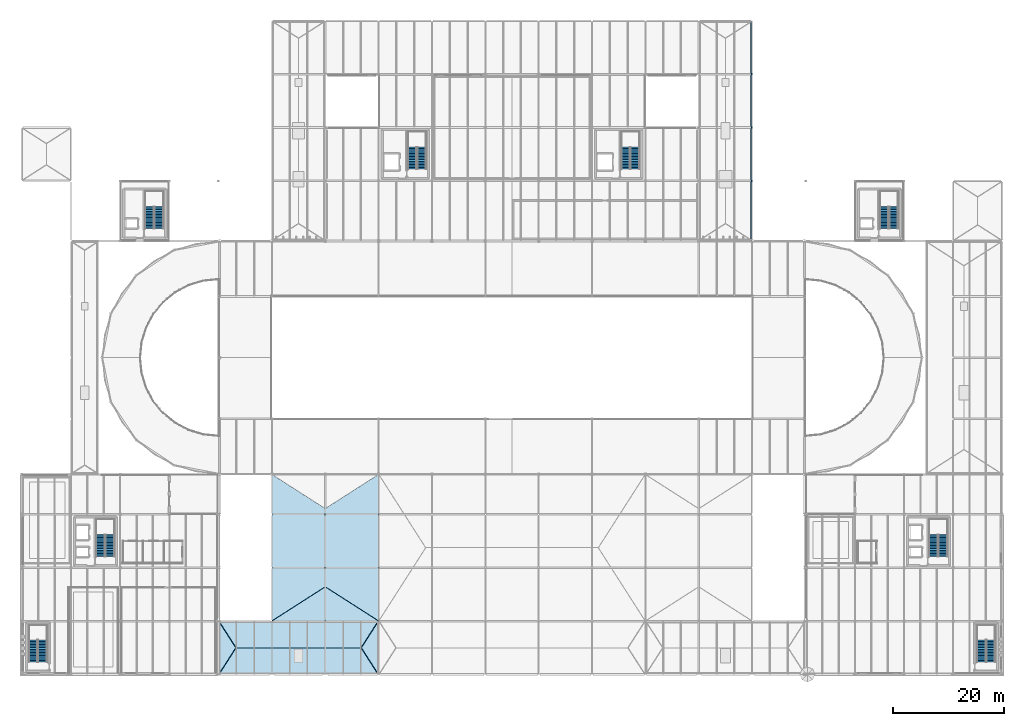
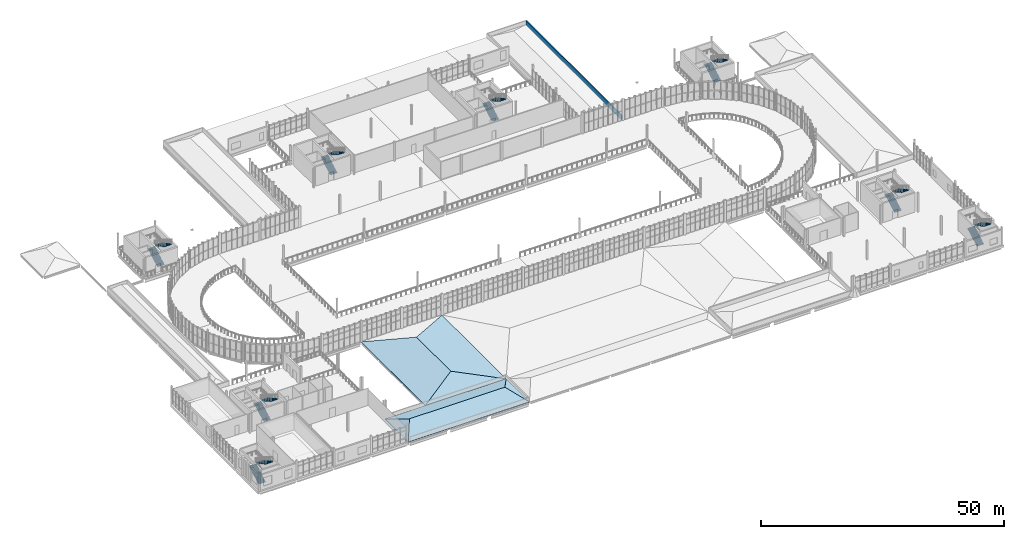
# One storey, part 98 of 112: 16 stair flights, 7 roofs, 1 wall, 8 elements without a shape of their own.
"""IFC4 building model written with IfcOpenShell, lengths in metres."""

from ifc_helpers import new_model, si_unit, direction, frame, frame_2d, origin, place, context, subcontext, project, spatial, polyline, rectangle, outline, extrude, material, layer, layer_set, type_object, element, aggregate, save


model = new_model("IFC4")

# Units and contexts
model_context = context("Model", 3, precision=1e-05, world=origin(), true_north=direction((0.0, 1.0)))
body_context = subcontext(model_context, "Body", "Model", "MODEL_VIEW")
ifc_project = project(units=[si_unit("LENGTHUNIT", "METRE"), si_unit("AREAUNIT", "SQUARE_METRE"), si_unit("VOLUMEUNIT", "CUBIC_METRE"), si_unit("PLANEANGLEUNIT", "RADIAN"), si_unit("MASSUNIT", "GRAM", prefix="KILO")], contexts=[model_context])

# Site, building, storey
site_placement = place(None, origin())
site = spatial("IfcSite", under=ifc_project, at=site_placement, CompositionType="ELEMENT")
building_placement = place(site_placement, origin())
building = spatial("IfcBuilding", under=site, at=building_placement, Name="Yeouljin Market Hall", CompositionType="ELEMENT")
storey_placement = place(building_placement, frame((0.0, 0.0, 6.0)))
storey = spatial("IfcBuildingStorey", under=building, at=storey_placement, Name="L01", CompositionType="ELEMENT", Elevation=6.0)

# Wall
ifc_material_1 = material(Name="Pocheon Granite Stone", Category="masonry")
ifc_layer_1 = layer(ifc_material_1, 0.260009765625)
ifc_layer_set_1 = layer_set([ifc_layer_1], Name="Pocheon Granite Stone")
wall_type = type_object("IfcWallType", Name="Wall_Parapet_Granite_260", PredefinedType="PARAPET", material=ifc_layer_set_1)
wall_placement = place(storey_placement, frame((131.260009765625, 78.139892578125, 0.010009765625), z_axis=(0.0, 0.0, 1.0), x_axis=(0.0, 1.0, 0.0)))
element("IfcWall", 1, at=wall_placement, inside=storey, type_object=wall_type, Name="Roof parapet RSLB-V4-L01E-2", PredefinedType="PARAPET", context=body_context, shape_type="SweptSolid", body=[
    extrude(rectangle(XDim=39.320068359375, YDim=0.260009765625, at=frame_2d((19.66015625, 0.0))), origin(), (0.0, 0.0, 1.0), 1.14990234375),
])

# Stair, stair flights
ifc_material_2 = material(Name="Concrete C30/37", Category="concrete")
stair_type_1 = type_object("IfcStairType", Name="Stair_Escape_Wing", PredefinedType="HALF_TURN_STAIR", material=ifc_material_2)
stair_1_placement = place(storey_placement, origin())
stair_1 = element("IfcStair", 2, at=stair_1_placement, inside=storey, type_object=stair_type_1, Name="Enclosed exit stair ST-S8-L01", PredefinedType="HALF_TURN_STAIR")
ifc_material_3 = material(Name="Concrete C30/37", Category="concrete")
ifc_layer_2 = layer(ifc_material_3, 0.159912109375)
ifc_layer_set_2 = layer_set([ifc_layer_2], Name="Concrete C30/37")
stair_flight_type_1 = type_object("IfcStairFlightType", Name="StairFlight_1580", PredefinedType="STRAIGHT", material=ifc_layer_set_2)
stair_flight_1_placement = place(storey_placement, frame((172.64990234375, 2.25, 0.0), z_axis=(0.0, 0.0, 1.0), x_axis=(0.0, 1.0, 0.0)))
stair_flight_1 = element("IfcStairFlight", 3, at=stair_flight_1_placement, type_object=stair_flight_type_1, Name="ST-S8-L01 flight 1", NumberOfRisers=15, NumberOfTreads=14, PredefinedType="STRAIGHT", RiserHeight=0.16, TreadLength=0.285, context=body_context, shape_type="SweptSolid", body=[
    extrude(outline(polyline([(0.0, 0.0), (0.0, 0.159912109375), (0.284912109375, 0.159912109375), (0.284912109375, 0.320068359375), (0.570068359375, 0.320068359375), (0.570068359375, 0.47998046875), (0.85498046875, 0.47998046875), (0.85498046875, 0.639892578125), (1.139892578125, 0.639892578125), (1.139892578125, 0.800048828125), (1.425048828125, 0.800048828125), (1.425048828125, 0.9599609375), (1.7099609375, 0.9599609375), (1.7099609375, 1.1201171875), (1.9951171875, 1.1201171875), (1.9951171875, 1.280029296875), (2.280029296875, 1.280029296875), (2.280029296875, 1.43994140625), (2.56494140625, 1.43994140625), (2.56494140625, 1.60009765625), (2.85009765625, 1.60009765625), (2.85009765625, 1.760009765625), (3.135009765625, 1.760009765625), (3.135009765625, 1.919921875), (3.419921875, 1.919921875), (3.419921875, 2.080078125), (3.705078125, 2.080078125), (3.705078125, 2.239990234375), (3.989990234375, 2.239990234375), (3.989990234375, 2.39990234375), (3.989990234375, 2.03369140625), (0.36767578125, 0.0), (0.0, 0.0)])), frame((0.0, 0.81005859375, 0.0), z_axis=(0.0, -1.0, 0.0), x_axis=(1.0, 0.0, 0.0)), (0.0, 0.0, 1.0), 1.6201171875),
])
stair_flight_2_placement = place(storey_placement, frame((174.35009765625, 6.239990234375, 2.39990234375), z_axis=(0.0, 0.0, 1.0), x_axis=(0.0, -1.0, 0.0)))
stair_flight_2 = element("IfcStairFlight", 4, at=stair_flight_2_placement, type_object=stair_flight_type_1, Name="ST-S8-L01 flight 2", NumberOfRisers=15, NumberOfTreads=14, PredefinedType="STRAIGHT", RiserHeight=0.16, TreadLength=0.285, context=body_context, shape_type="SweptSolid", body=[
    extrude(outline(polyline([(0.0, 0.0), (0.0, 0.159912109375), (0.284912109375, 0.159912109375), (0.284912109375, 0.320068359375), (0.570068359375, 0.320068359375), (0.570068359375, 0.47998046875), (0.85498046875, 0.47998046875), (0.85498046875, 0.639892578125), (1.139892578125, 0.639892578125), (1.139892578125, 0.800048828125), (1.425048828125, 0.800048828125), (1.425048828125, 0.9599609375), (1.7099609375, 0.9599609375), (1.7099609375, 1.1201171875), (1.9951171875, 1.1201171875), (1.9951171875, 1.280029296875), (2.280029296875, 1.280029296875), (2.280029296875, 1.43994140625), (2.56494140625, 1.43994140625), (2.56494140625, 1.60009765625), (2.85009765625, 1.60009765625), (2.85009765625, 1.760009765625), (3.135009765625, 1.760009765625), (3.135009765625, 1.919921875), (3.419921875, 1.919921875), (3.419921875, 2.080078125), (3.705078125, 2.080078125), (3.705078125, 2.239990234375), (3.989990234375, 2.239990234375), (3.989990234375, 2.39990234375), (3.989990234375, 2.03369140625), (0.36767578125, 0.0), (0.0, 0.0)])), frame((0.0, 0.81005859375, 0.0), z_axis=(0.0, -1.0, 0.0), x_axis=(1.0, 0.0, 0.0)), (0.0, 0.0, 1.0), 1.6201171875),
])
aggregate(stair_1, [stair_flight_1, stair_flight_2])

ifc_material_4 = material(Name="Concrete C30/37", Category="concrete")
stair_type_2 = type_object("IfcStairType", Name="Stair_Core_L01_L02", PredefinedType="TWO_STRAIGHT_RUN_STAIR", material=ifc_material_4)
stair_2_placement = place(storey_placement, origin())
stair_2 = element("IfcStair", 5, at=stair_2_placement, inside=storey, type_object=stair_type_2, Name="Enclosed exit stair ST-C1-L01", PredefinedType="TWO_STRAIGHT_RUN_STAIR")
ifc_material_5 = material(Name="Concrete C30/37", Category="concrete")
ifc_layer_3 = layer(ifc_material_5, 0.179931640625)
ifc_layer_set_3 = layer_set([ifc_layer_3], Name="Concrete C30/37")
stair_flight_type_2 = type_object("IfcStairFlightType", Name="StairFlight_1620", PredefinedType="STRAIGHT", material=ifc_layer_set_3)
stair_flight_3_placement = place(storey_placement, frame((14.14990234375, 21.199951171875, 0.0), z_axis=(0.0, 0.0, 1.0), x_axis=(0.0, 1.0, 0.0)))
stair_flight_3 = element("IfcStairFlight", 6, at=stair_flight_3_placement, type_object=stair_flight_type_2, Name="ST-C1-L01 flight 1", NumberOfRisers=15, NumberOfTreads=14, PredefinedType="STRAIGHT", RiserHeight=0.16, TreadLength=0.285, context=body_context, shape_type="SweptSolid", body=[
    extrude(outline(polyline([(0.0, 0.0), (0.0, 0.159912109375), (0.284912109375, 0.159912109375), (0.284912109375, 0.320068359375), (0.570068359375, 0.320068359375), (0.570068359375, 0.47998046875), (0.85498046875, 0.47998046875), (0.85498046875, 0.639892578125), (1.139892578125, 0.639892578125), (1.139892578125, 0.800048828125), (1.425048828125, 0.800048828125), (1.425048828125, 0.9599609375), (1.7099609375, 0.9599609375), (1.7099609375, 1.1201171875), (1.9951171875, 1.1201171875), (1.9951171875, 1.280029296875), (2.280029296875, 1.280029296875), (2.280029296875, 1.43994140625), (2.56494140625, 1.43994140625), (2.56494140625, 1.60009765625), (2.85009765625, 1.60009765625), (2.85009765625, 1.760009765625), (3.135009765625, 1.760009765625), (3.135009765625, 1.919921875), (3.419921875, 1.919921875), (3.419921875, 2.080078125), (3.705078125, 2.080078125), (3.705078125, 2.239990234375), (3.989990234375, 2.239990234375), (3.989990234375, 2.39990234375), (3.989990234375, 2.03369140625), (0.36767578125, 0.0), (0.0, 0.0)])), frame((0.0, 0.81005859375, 0.0), z_axis=(0.0, -1.0, 0.0), x_axis=(1.0, 0.0, 0.0)), (0.0, 0.0, 1.0), 1.6201171875),
])
stair_flight_4_placement = place(storey_placement, frame((15.85009765625, 25.18994140625, 2.39990234375), z_axis=(0.0, 0.0, 1.0), x_axis=(0.0, -1.0, 0.0)))
stair_flight_4 = element("IfcStairFlight", 7, at=stair_flight_4_placement, type_object=stair_flight_type_2, Name="ST-C1-L01 flight 2", NumberOfRisers=15, NumberOfTreads=14, PredefinedType="STRAIGHT", RiserHeight=0.16, TreadLength=0.285, context=body_context, shape_type="SweptSolid", body=[
    extrude(outline(polyline([(0.0, 0.0), (0.0, 0.159912109375), (0.284912109375, 0.159912109375), (0.284912109375, 0.320068359375), (0.570068359375, 0.320068359375), (0.570068359375, 0.47998046875), (0.85498046875, 0.47998046875), (0.85498046875, 0.639892578125), (1.139892578125, 0.639892578125), (1.139892578125, 0.800048828125), (1.425048828125, 0.800048828125), (1.425048828125, 0.9599609375), (1.7099609375, 0.9599609375), (1.7099609375, 1.1201171875), (1.9951171875, 1.1201171875), (1.9951171875, 1.280029296875), (2.280029296875, 1.280029296875), (2.280029296875, 1.43994140625), (2.56494140625, 1.43994140625), (2.56494140625, 1.60009765625), (2.85009765625, 1.60009765625), (2.85009765625, 1.760009765625), (3.135009765625, 1.760009765625), (3.135009765625, 1.919921875), (3.419921875, 1.919921875), (3.419921875, 2.080078125), (3.705078125, 2.080078125), (3.705078125, 2.239990234375), (3.989990234375, 2.239990234375), (3.989990234375, 2.39990234375), (3.989990234375, 2.03369140625), (0.36767578125, 0.0), (0.0, 0.0)])), frame((0.0, 0.81005859375, 0.0), z_axis=(0.0, -1.0, 0.0), x_axis=(1.0, 0.0, 0.0)), (0.0, 0.0, 1.0), 1.6201171875),
])
aggregate(stair_2, [stair_flight_3, stair_flight_4])

stair_3_placement = place(storey_placement, origin())
stair_3 = element("IfcStair", 8, at=stair_3_placement, inside=storey, type_object=stair_type_1, Name="Enclosed exit stair ST-S7-L01", PredefinedType="HALF_TURN_STAIR")
stair_flight_5_placement = place(storey_placement, frame((2.050048828125, 2.25, 0.0), z_axis=(0.0, 0.0, 1.0), x_axis=(0.0, 1.0, 0.0)))
stair_flight_5 = element("IfcStairFlight", 9, at=stair_flight_5_placement, type_object=stair_flight_type_2, Name="ST-S7-L01 flight 1", NumberOfRisers=15, NumberOfTreads=14, PredefinedType="STRAIGHT", RiserHeight=0.16, TreadLength=0.285, context=body_context, shape_type="SweptSolid", body=[
    extrude(outline(polyline([(0.0, 0.0), (0.0, 0.159912109375), (0.284912109375, 0.159912109375), (0.284912109375, 0.320068359375), (0.570068359375, 0.320068359375), (0.570068359375, 0.47998046875), (0.85498046875, 0.47998046875), (0.85498046875, 0.639892578125), (1.139892578125, 0.639892578125), (1.139892578125, 0.800048828125), (1.425048828125, 0.800048828125), (1.425048828125, 0.9599609375), (1.7099609375, 0.9599609375), (1.7099609375, 1.1201171875), (1.9951171875, 1.1201171875), (1.9951171875, 1.280029296875), (2.280029296875, 1.280029296875), (2.280029296875, 1.43994140625), (2.56494140625, 1.43994140625), (2.56494140625, 1.60009765625), (2.85009765625, 1.60009765625), (2.85009765625, 1.760009765625), (3.135009765625, 1.760009765625), (3.135009765625, 1.919921875), (3.419921875, 1.919921875), (3.419921875, 2.080078125), (3.705078125, 2.080078125), (3.705078125, 2.239990234375), (3.989990234375, 2.239990234375), (3.989990234375, 2.39990234375), (3.989990234375, 2.03369140625), (0.36767578125, 0.0), (0.0, 0.0)])), frame((0.0, 0.81005859375, 0.0), z_axis=(0.0, -1.0, 0.0), x_axis=(1.0, 0.0, 0.0)), (0.0, 0.0, 1.0), 1.6201171875),
])
stair_flight_6_placement = place(storey_placement, frame((3.75, 6.239990234375, 2.39990234375), z_axis=(0.0, 0.0, 1.0), x_axis=(0.0, -1.0, 0.0)))
stair_flight_6 = element("IfcStairFlight", 10, at=stair_flight_6_placement, type_object=stair_flight_type_2, Name="ST-S7-L01 flight 2", NumberOfRisers=15, NumberOfTreads=14, PredefinedType="STRAIGHT", RiserHeight=0.16, TreadLength=0.285, context=body_context, shape_type="SweptSolid", body=[
    extrude(outline(polyline([(0.0, 0.0), (0.0, 0.159912109375), (0.284912109375, 0.159912109375), (0.284912109375, 0.320068359375), (0.570068359375, 0.320068359375), (0.570068359375, 0.47998046875), (0.85498046875, 0.47998046875), (0.85498046875, 0.639892578125), (1.139892578125, 0.639892578125), (1.139892578125, 0.800048828125), (1.425048828125, 0.800048828125), (1.425048828125, 0.9599609375), (1.7099609375, 0.9599609375), (1.7099609375, 1.1201171875), (1.9951171875, 1.1201171875), (1.9951171875, 1.280029296875), (2.280029296875, 1.280029296875), (2.280029296875, 1.43994140625), (2.56494140625, 1.43994140625), (2.56494140625, 1.60009765625), (2.85009765625, 1.60009765625), (2.85009765625, 1.760009765625), (3.135009765625, 1.760009765625), (3.135009765625, 1.919921875), (3.419921875, 1.919921875), (3.419921875, 2.080078125), (3.705078125, 2.080078125), (3.705078125, 2.239990234375), (3.989990234375, 2.239990234375), (3.989990234375, 2.39990234375), (3.989990234375, 2.03369140625), (0.36767578125, 0.0), (0.0, 0.0)])), frame((0.0, 0.81005859375, 0.0), z_axis=(0.0, -1.0, 0.0), x_axis=(1.0, 0.0, 0.0)), (0.0, 0.0, 1.0), 1.6201171875),
])
aggregate(stair_3, [stair_flight_5, stair_flight_6])

stair_4_placement = place(storey_placement, origin())
stair_4 = element("IfcStair", 11, at=stair_4_placement, inside=storey, type_object=stair_type_2, Name="Enclosed exit stair ST-C2-L01", PredefinedType="TWO_STRAIGHT_RUN_STAIR")
ifc_material_6 = material(Name="Concrete C30/37", Category="concrete")
ifc_layer_4 = layer(ifc_material_6, 0.199951171875)
ifc_layer_set_4 = layer_set([ifc_layer_4], Name="Concrete C30/37")
stair_flight_type_3 = type_object("IfcStairFlightType", Name="StairFlight_1660", PredefinedType="STRAIGHT", material=ifc_layer_set_4)
stair_flight_7_placement = place(storey_placement, frame((23.0, 80.199951171875, 0.0), z_axis=(0.0, 0.0, 1.0), x_axis=(0.0, 1.0, 0.0)))
stair_flight_7 = element("IfcStairFlight", 12, at=stair_flight_7_placement, type_object=stair_flight_type_3, Name="ST-C2-L01 flight 1", NumberOfRisers=15, NumberOfTreads=14, PredefinedType="STRAIGHT", RiserHeight=0.16, TreadLength=0.285, context=body_context, shape_type="SweptSolid", body=[
    extrude(outline(polyline([(0.0, 0.0), (0.0, 0.159912109375), (0.284912109375, 0.159912109375), (0.284912109375, 0.320068359375), (0.570068359375, 0.320068359375), (0.570068359375, 0.47998046875), (0.85498046875, 0.47998046875), (0.85498046875, 0.639892578125), (1.139892578125, 0.639892578125), (1.139892578125, 0.800048828125), (1.425048828125, 0.800048828125), (1.425048828125, 0.9599609375), (1.7099609375, 0.9599609375), (1.7099609375, 1.1201171875), (1.9951171875, 1.1201171875), (1.9951171875, 1.280029296875), (2.280029296875, 1.280029296875), (2.280029296875, 1.43994140625), (2.56494140625, 1.43994140625), (2.56494140625, 1.60009765625), (2.85009765625, 1.60009765625), (2.85009765625, 1.760009765625), (3.135009765625, 1.760009765625), (3.135009765625, 1.919921875), (3.419921875, 1.919921875), (3.419921875, 2.080078125), (3.705078125, 2.080078125), (3.705078125, 2.239990234375), (3.989990234375, 2.239990234375), (3.989990234375, 2.39990234375), (3.989990234375, 2.03369140625), (0.36767578125, 0.0), (0.0, 0.0)])), frame((0.0, 0.81005859375, 0.0), z_axis=(0.0, -1.0, 0.0), x_axis=(1.0, 0.0, 0.0)), (0.0, 0.0, 1.0), 1.6201171875),
])
stair_flight_8_placement = place(storey_placement, frame((24.699951171875, 84.18994140625, 2.39990234375), z_axis=(0.0, 0.0, 1.0), x_axis=(0.0, -1.0, 0.0)))
stair_flight_8 = element("IfcStairFlight", 13, at=stair_flight_8_placement, type_object=stair_flight_type_3, Name="ST-C2-L01 flight 2", NumberOfRisers=15, NumberOfTreads=14, PredefinedType="STRAIGHT", RiserHeight=0.16, TreadLength=0.285, context=body_context, shape_type="SweptSolid", body=[
    extrude(outline(polyline([(0.0, 0.0), (0.0, 0.159912109375), (0.284912109375, 0.159912109375), (0.284912109375, 0.320068359375), (0.570068359375, 0.320068359375), (0.570068359375, 0.47998046875), (0.85498046875, 0.47998046875), (0.85498046875, 0.639892578125), (1.139892578125, 0.639892578125), (1.139892578125, 0.800048828125), (1.425048828125, 0.800048828125), (1.425048828125, 0.9599609375), (1.7099609375, 0.9599609375), (1.7099609375, 1.1201171875), (1.9951171875, 1.1201171875), (1.9951171875, 1.280029296875), (2.280029296875, 1.280029296875), (2.280029296875, 1.43994140625), (2.56494140625, 1.43994140625), (2.56494140625, 1.60009765625), (2.85009765625, 1.60009765625), (2.85009765625, 1.760009765625), (3.135009765625, 1.760009765625), (3.135009765625, 1.919921875), (3.419921875, 1.919921875), (3.419921875, 2.080078125), (3.705078125, 2.080078125), (3.705078125, 2.239990234375), (3.989990234375, 2.239990234375), (3.989990234375, 2.39990234375), (3.989990234375, 2.03369140625), (0.36767578125, 0.0), (0.0, 0.0)])), frame((0.0, 0.81005859375, 0.0), z_axis=(0.0, -1.0, 0.0), x_axis=(1.0, 0.0, 0.0)), (0.0, 0.0, 1.0), 1.6201171875),
])
aggregate(stair_4, [stair_flight_7, stair_flight_8])

stair_5_placement = place(storey_placement, origin())
stair_5 = element("IfcStair", 14, at=stair_5_placement, inside=storey, type_object=stair_type_2, Name="Enclosed exit stair ST-C3-L01", PredefinedType="TWO_STRAIGHT_RUN_STAIR")
stair_flight_9_placement = place(storey_placement, frame((164.02001953125, 21.199951171875, 0.0), z_axis=(0.0, 0.0, 1.0), x_axis=(0.0, 1.0, 0.0)))
stair_flight_9 = element("IfcStairFlight", 15, at=stair_flight_9_placement, type_object=stair_flight_type_3, Name="ST-C3-L01 flight 1", NumberOfRisers=15, NumberOfTreads=14, PredefinedType="STRAIGHT", RiserHeight=0.16, TreadLength=0.285, context=body_context, shape_type="SweptSolid", body=[
    extrude(outline(polyline([(0.0, 0.0), (0.0, 0.159912109375), (0.284912109375, 0.159912109375), (0.284912109375, 0.320068359375), (0.570068359375, 0.320068359375), (0.570068359375, 0.47998046875), (0.85498046875, 0.47998046875), (0.85498046875, 0.639892578125), (1.139892578125, 0.639892578125), (1.139892578125, 0.800048828125), (1.425048828125, 0.800048828125), (1.425048828125, 0.9599609375), (1.7099609375, 0.9599609375), (1.7099609375, 1.1201171875), (1.9951171875, 1.1201171875), (1.9951171875, 1.280029296875), (2.280029296875, 1.280029296875), (2.280029296875, 1.43994140625), (2.56494140625, 1.43994140625), (2.56494140625, 1.60009765625), (2.85009765625, 1.60009765625), (2.85009765625, 1.760009765625), (3.135009765625, 1.760009765625), (3.135009765625, 1.919921875), (3.419921875, 1.919921875), (3.419921875, 2.080078125), (3.705078125, 2.080078125), (3.705078125, 2.239990234375), (3.989990234375, 2.239990234375), (3.989990234375, 2.39990234375), (3.989990234375, 2.03369140625), (0.36767578125, 0.0), (0.0, 0.0)])), frame((0.0, 0.81005859375, 0.0), z_axis=(0.0, -1.0, 0.0), x_axis=(1.0, 0.0, 0.0)), (0.0, 0.0, 1.0), 1.6201171875),
])
stair_flight_10_placement = place(storey_placement, frame((165.719970703125, 25.18994140625, 2.39990234375), z_axis=(0.0, 0.0, 1.0), x_axis=(0.0, -1.0, 0.0)))
stair_flight_10 = element("IfcStairFlight", 16, at=stair_flight_10_placement, type_object=stair_flight_type_3, Name="ST-C3-L01 flight 2", NumberOfRisers=15, NumberOfTreads=14, PredefinedType="STRAIGHT", RiserHeight=0.16, TreadLength=0.285, context=body_context, shape_type="SweptSolid", body=[
    extrude(outline(polyline([(0.0, 0.0), (0.0, 0.159912109375), (0.284912109375, 0.159912109375), (0.284912109375, 0.320068359375), (0.570068359375, 0.320068359375), (0.570068359375, 0.47998046875), (0.85498046875, 0.47998046875), (0.85498046875, 0.639892578125), (1.139892578125, 0.639892578125), (1.139892578125, 0.800048828125), (1.425048828125, 0.800048828125), (1.425048828125, 0.9599609375), (1.7099609375, 0.9599609375), (1.7099609375, 1.1201171875), (1.9951171875, 1.1201171875), (1.9951171875, 1.280029296875), (2.280029296875, 1.280029296875), (2.280029296875, 1.43994140625), (2.56494140625, 1.43994140625), (2.56494140625, 1.60009765625), (2.85009765625, 1.60009765625), (2.85009765625, 1.760009765625), (3.135009765625, 1.760009765625), (3.135009765625, 1.919921875), (3.419921875, 1.919921875), (3.419921875, 2.080078125), (3.705078125, 2.080078125), (3.705078125, 2.239990234375), (3.989990234375, 2.239990234375), (3.989990234375, 2.39990234375), (3.989990234375, 2.03369140625), (0.36767578125, 0.0), (0.0, 0.0)])), frame((0.0, 0.81005859375, 0.0), z_axis=(0.0, -1.0, 0.0), x_axis=(1.0, 0.0, 0.0)), (0.0, 0.0, 1.0), 1.6201171875),
])
aggregate(stair_5, [stair_flight_9, stair_flight_10])

stair_6_placement = place(storey_placement, origin())
stair_6 = element("IfcStair", 17, at=stair_6_placement, inside=storey, type_object=stair_type_2, Name="Enclosed exit stair ST-C4-L01", PredefinedType="TWO_STRAIGHT_RUN_STAIR")
stair_flight_11_placement = place(storey_placement, frame((155.18994140625, 80.199951171875, 0.0), z_axis=(0.0, 0.0, 1.0), x_axis=(0.0, 1.0, 0.0)))
stair_flight_11 = element("IfcStairFlight", 18, at=stair_flight_11_placement, type_object=stair_flight_type_3, Name="ST-C4-L01 flight 1", NumberOfRisers=15, NumberOfTreads=14, PredefinedType="STRAIGHT", RiserHeight=0.16, TreadLength=0.285, context=body_context, shape_type="SweptSolid", body=[
    extrude(outline(polyline([(0.0, 0.0), (0.0, 0.159912109375), (0.284912109375, 0.159912109375), (0.284912109375, 0.320068359375), (0.570068359375, 0.320068359375), (0.570068359375, 0.47998046875), (0.85498046875, 0.47998046875), (0.85498046875, 0.639892578125), (1.139892578125, 0.639892578125), (1.139892578125, 0.800048828125), (1.425048828125, 0.800048828125), (1.425048828125, 0.9599609375), (1.7099609375, 0.9599609375), (1.7099609375, 1.1201171875), (1.9951171875, 1.1201171875), (1.9951171875, 1.280029296875), (2.280029296875, 1.280029296875), (2.280029296875, 1.43994140625), (2.56494140625, 1.43994140625), (2.56494140625, 1.60009765625), (2.85009765625, 1.60009765625), (2.85009765625, 1.760009765625), (3.135009765625, 1.760009765625), (3.135009765625, 1.919921875), (3.419921875, 1.919921875), (3.419921875, 2.080078125), (3.705078125, 2.080078125), (3.705078125, 2.239990234375), (3.989990234375, 2.239990234375), (3.989990234375, 2.39990234375), (3.989990234375, 2.03369140625), (0.36767578125, 0.0), (0.0, 0.0)])), frame((0.0, 0.81005859375, 0.0), z_axis=(0.0, -1.0, 0.0), x_axis=(1.0, 0.0, 0.0)), (0.0, 0.0, 1.0), 1.6201171875),
])
stair_flight_12_placement = place(storey_placement, frame((156.889892578125, 84.18994140625, 2.39990234375), z_axis=(0.0, 0.0, 1.0), x_axis=(0.0, -1.0, 0.0)))
stair_flight_12 = element("IfcStairFlight", 19, at=stair_flight_12_placement, type_object=stair_flight_type_3, Name="ST-C4-L01 flight 2", NumberOfRisers=15, NumberOfTreads=14, PredefinedType="STRAIGHT", RiserHeight=0.16, TreadLength=0.285, context=body_context, shape_type="SweptSolid", body=[
    extrude(outline(polyline([(0.0, 0.0), (0.0, 0.159912109375), (0.284912109375, 0.159912109375), (0.284912109375, 0.320068359375), (0.570068359375, 0.320068359375), (0.570068359375, 0.47998046875), (0.85498046875, 0.47998046875), (0.85498046875, 0.639892578125), (1.139892578125, 0.639892578125), (1.139892578125, 0.800048828125), (1.425048828125, 0.800048828125), (1.425048828125, 0.9599609375), (1.7099609375, 0.9599609375), (1.7099609375, 1.1201171875), (1.9951171875, 1.1201171875), (1.9951171875, 1.280029296875), (2.280029296875, 1.280029296875), (2.280029296875, 1.43994140625), (2.56494140625, 1.43994140625), (2.56494140625, 1.60009765625), (2.85009765625, 1.60009765625), (2.85009765625, 1.760009765625), (3.135009765625, 1.760009765625), (3.135009765625, 1.919921875), (3.419921875, 1.919921875), (3.419921875, 2.080078125), (3.705078125, 2.080078125), (3.705078125, 2.239990234375), (3.989990234375, 2.239990234375), (3.989990234375, 2.39990234375), (3.989990234375, 2.03369140625), (0.36767578125, 0.0), (0.0, 0.0)])), frame((0.0, 0.81005859375, 0.0), z_axis=(0.0, -1.0, 0.0), x_axis=(1.0, 0.0, 0.0)), (0.0, 0.0, 1.0), 1.6201171875),
])
aggregate(stair_6, [stair_flight_11, stair_flight_12])

stair_7_placement = place(storey_placement, origin())
stair_7 = element("IfcStair", 20, at=stair_7_placement, inside=storey, type_object=stair_type_2, Name="Enclosed exit stair ST-C5-L01", PredefinedType="TWO_STRAIGHT_RUN_STAIR")
stair_flight_13_placement = place(storey_placement, frame((70.25, 90.89990234375, 0.0), z_axis=(0.0, 0.0, 1.0), x_axis=(0.0, 1.0, 0.0)))
stair_flight_13 = element("IfcStairFlight", 21, at=stair_flight_13_placement, type_object=stair_flight_type_3, Name="ST-C5-L01 flight 1", NumberOfRisers=15, NumberOfTreads=14, PredefinedType="STRAIGHT", RiserHeight=0.16, TreadLength=0.285, context=body_context, shape_type="SweptSolid", body=[
    extrude(outline(polyline([(0.0, 0.0), (0.0, 0.159912109375), (0.284912109375, 0.159912109375), (0.284912109375, 0.320068359375), (0.570068359375, 0.320068359375), (0.570068359375, 0.47998046875), (0.85498046875, 0.47998046875), (0.85498046875, 0.639892578125), (1.139892578125, 0.639892578125), (1.139892578125, 0.800048828125), (1.425048828125, 0.800048828125), (1.425048828125, 0.9599609375), (1.7099609375, 0.9599609375), (1.7099609375, 1.1201171875), (1.9951171875, 1.1201171875), (1.9951171875, 1.280029296875), (2.280029296875, 1.280029296875), (2.280029296875, 1.43994140625), (2.56494140625, 1.43994140625), (2.56494140625, 1.60009765625), (2.85009765625, 1.60009765625), (2.85009765625, 1.760009765625), (3.135009765625, 1.760009765625), (3.135009765625, 1.919921875), (3.419921875, 1.919921875), (3.419921875, 2.080078125), (3.705078125, 2.080078125), (3.705078125, 2.239990234375), (3.989990234375, 2.239990234375), (3.989990234375, 2.39990234375), (3.989990234375, 2.03369140625), (0.36767578125, 0.0), (0.0, 0.0)])), frame((0.0, 0.81005859375, 0.0), z_axis=(0.0, -1.0, 0.0), x_axis=(1.0, 0.0, 0.0)), (0.0, 0.0, 1.0), 1.6201171875),
])
stair_flight_14_placement = place(storey_placement, frame((71.949951171875, 94.889892578125, 2.39990234375), z_axis=(0.0, 0.0, 1.0), x_axis=(0.0, -1.0, 0.0)))
stair_flight_14 = element("IfcStairFlight", 22, at=stair_flight_14_placement, type_object=stair_flight_type_3, Name="ST-C5-L01 flight 2", NumberOfRisers=15, NumberOfTreads=14, PredefinedType="STRAIGHT", RiserHeight=0.16, TreadLength=0.285, context=body_context, shape_type="SweptSolid", body=[
    extrude(outline(polyline([(0.0, 0.0), (0.0, 0.159912109375), (0.284912109375, 0.159912109375), (0.284912109375, 0.320068359375), (0.570068359375, 0.320068359375), (0.570068359375, 0.47998046875), (0.85498046875, 0.47998046875), (0.85498046875, 0.639892578125), (1.139892578125, 0.639892578125), (1.139892578125, 0.800048828125), (1.425048828125, 0.800048828125), (1.425048828125, 0.9599609375), (1.7099609375, 0.9599609375), (1.7099609375, 1.1201171875), (1.9951171875, 1.1201171875), (1.9951171875, 1.280029296875), (2.280029296875, 1.280029296875), (2.280029296875, 1.43994140625), (2.56494140625, 1.43994140625), (2.56494140625, 1.60009765625), (2.85009765625, 1.60009765625), (2.85009765625, 1.760009765625), (3.135009765625, 1.760009765625), (3.135009765625, 1.919921875), (3.419921875, 1.919921875), (3.419921875, 2.080078125), (3.705078125, 2.080078125), (3.705078125, 2.239990234375), (3.989990234375, 2.239990234375), (3.989990234375, 2.39990234375), (3.989990234375, 2.03369140625), (0.36767578125, 0.0), (0.0, 0.0)])), frame((0.0, 0.81005859375, 0.0), z_axis=(0.0, -1.0, 0.0), x_axis=(1.0, 0.0, 0.0)), (0.0, 0.0, 1.0), 1.6201171875),
])
aggregate(stair_7, [stair_flight_13, stair_flight_14])

stair_8_placement = place(storey_placement, origin())
stair_8 = element("IfcStair", 23, at=stair_8_placement, inside=storey, type_object=stair_type_2, Name="Enclosed exit stair ST-C6-L01", PredefinedType="TWO_STRAIGHT_RUN_STAIR")
stair_flight_15_placement = place(storey_placement, frame((108.64990234375, 90.89990234375, 0.0), z_axis=(0.0, 0.0, 1.0), x_axis=(0.0, 1.0, 0.0)))
stair_flight_15 = element("IfcStairFlight", 24, at=stair_flight_15_placement, type_object=stair_flight_type_3, Name="ST-C6-L01 flight 1", NumberOfRisers=15, NumberOfTreads=14, PredefinedType="STRAIGHT", RiserHeight=0.16, TreadLength=0.285, context=body_context, shape_type="SweptSolid", body=[
    extrude(outline(polyline([(0.0, 0.0), (0.0, 0.159912109375), (0.284912109375, 0.159912109375), (0.284912109375, 0.320068359375), (0.570068359375, 0.320068359375), (0.570068359375, 0.47998046875), (0.85498046875, 0.47998046875), (0.85498046875, 0.639892578125), (1.139892578125, 0.639892578125), (1.139892578125, 0.800048828125), (1.425048828125, 0.800048828125), (1.425048828125, 0.9599609375), (1.7099609375, 0.9599609375), (1.7099609375, 1.1201171875), (1.9951171875, 1.1201171875), (1.9951171875, 1.280029296875), (2.280029296875, 1.280029296875), (2.280029296875, 1.43994140625), (2.56494140625, 1.43994140625), (2.56494140625, 1.60009765625), (2.85009765625, 1.60009765625), (2.85009765625, 1.760009765625), (3.135009765625, 1.760009765625), (3.135009765625, 1.919921875), (3.419921875, 1.919921875), (3.419921875, 2.080078125), (3.705078125, 2.080078125), (3.705078125, 2.239990234375), (3.989990234375, 2.239990234375), (3.989990234375, 2.39990234375), (3.989990234375, 2.03369140625), (0.36767578125, 0.0), (0.0, 0.0)])), frame((0.0, 0.81005859375, 0.0), z_axis=(0.0, -1.0, 0.0), x_axis=(1.0, 0.0, 0.0)), (0.0, 0.0, 1.0), 1.6201171875),
])
stair_flight_16_placement = place(storey_placement, frame((110.35009765625, 94.889892578125, 2.39990234375), z_axis=(0.0, 0.0, 1.0), x_axis=(0.0, -1.0, 0.0)))
stair_flight_16 = element("IfcStairFlight", 25, at=stair_flight_16_placement, type_object=stair_flight_type_3, Name="ST-C6-L01 flight 2", NumberOfRisers=15, NumberOfTreads=14, PredefinedType="STRAIGHT", RiserHeight=0.16, TreadLength=0.285, context=body_context, shape_type="SweptSolid", body=[
    extrude(outline(polyline([(0.0, 0.0), (0.0, 0.159912109375), (0.284912109375, 0.159912109375), (0.284912109375, 0.320068359375), (0.570068359375, 0.320068359375), (0.570068359375, 0.47998046875), (0.85498046875, 0.47998046875), (0.85498046875, 0.639892578125), (1.139892578125, 0.639892578125), (1.139892578125, 0.800048828125), (1.425048828125, 0.800048828125), (1.425048828125, 0.9599609375), (1.7099609375, 0.9599609375), (1.7099609375, 1.1201171875), (1.9951171875, 1.1201171875), (1.9951171875, 1.280029296875), (2.280029296875, 1.280029296875), (2.280029296875, 1.43994140625), (2.56494140625, 1.43994140625), (2.56494140625, 1.60009765625), (2.85009765625, 1.60009765625), (2.85009765625, 1.760009765625), (3.135009765625, 1.760009765625), (3.135009765625, 1.919921875), (3.419921875, 1.919921875), (3.419921875, 2.080078125), (3.705078125, 2.080078125), (3.705078125, 2.239990234375), (3.989990234375, 2.239990234375), (3.989990234375, 2.39990234375), (3.989990234375, 2.03369140625), (0.36767578125, 0.0), (0.0, 0.0)])), frame((0.0, 0.81005859375, 0.0), z_axis=(0.0, -1.0, 0.0), x_axis=(1.0, 0.0, 0.0)), (0.0, 0.0, 1.0), 1.6201171875),
])
aggregate(stair_8, [stair_flight_15, stair_flight_16])

# Roofs
ifc_material_7 = material(Name="Standing Seam Patinated Copper")
ifc_layer_5 = layer(ifc_material_7, 0.179931640625)
ifc_layer_set_5 = layer_set([ifc_layer_5], Name="Standing Seam Patinated Copper")
roof_type = type_object("IfcRoofType", Name="Roof_Boulevard_Canopy", PredefinedType="GABLE_ROOF", material=ifc_layer_set_5)
for number, where, z_axis, x_axis, name in (
    (26, (35.39990234375, 0.0, 0.050048828125), (0.0, -0.359602336258, 0.933105653052), (1.0, 0.0, 0.0), "South boulevard west portico roof RF-V5-PORTW-S"),
    (27, (64.199951171875, 9.60009765625, 0.050048828125), (0.0, 0.359602336258, 0.933105653052), (-1.0, 0.0, 0.0), "South boulevard west portico roof RF-V5-PORTW-N"),
):
    element("IfcRoof", number, at=place(storey_placement, frame(where, z_axis=z_axis, x_axis=x_axis)), inside=storey, type_object=roof_type, Name=name, PredefinedType="GABLE_ROOF", context=body_context, shape_type="SweptSolid", body=[
        extrude(outline(polyline([(0.0, 0.0), (28.800048828125, 0.0), (25.72802734375, 5.144164342403376), (3.072021484375, 5.144164342403376), (0.0, 0.0)])), origin(), (0.0, 0.0, -1.0), 0.219970703125),
    ])
for number, where, z_axis, x_axis, name in (
    (28, (35.39990234375, 9.60009765625, 0.050048828125), (-0.51585674527, 0.0, 0.856674861519), (0.0, -1.0, 0.0), "South boulevard west portico roof RF-V5-PORTW-W"),
    (29, (64.199951171875, 0.0, 0.050048828125), (0.51585674527, 0.0, 0.856674861519), (0.0, 1.0, 0.0), "South boulevard west portico roof RF-V5-PORTW-E"),
):
    element("IfcRoof", number, at=place(storey_placement, frame(where, z_axis=z_axis, x_axis=x_axis)), inside=storey, type_object=roof_type, Name=name, PredefinedType="GABLE_ROOF", context=body_context, shape_type="SweptSolid", body=[
        extrude(outline(polyline([(0.0, 0.0), (9.60009765625, 0.0), (4.800048828125, 3.5859829935084395), (0.0, 0.0)])), origin(), (0.0, 0.0, -1.0), 0.219970703125),
    ])
roof_1_placement = place(storey_placement, frame((45.0, 36.0, 0.02001953125), z_axis=(-0.159397407368, 0.0, 0.987214498741), x_axis=(0.0, -1.0, 0.0)))
element("IfcRoof", 30, at=roof_1_placement, inside=storey, type_object=roof_type, Name="Forecourt west market arcade canopy RF-V5-CRTW-W", PredefinedType="GABLE_ROOF", context=body_context, shape_type="SweptSolid", body=[
    extrude(outline(polyline([(0.0, 0.0), (26.39990234375, 0.0), (20.256103515625, 9.724429360076016), (6.14404296875, 9.724429360076016), (0.0, 0.0)])), origin(), (0.0, 0.0, -1.0), 0.219970703125),
])
roof_2_placement = place(storey_placement, frame((64.199951171875, 9.60009765625, 0.02001953125), z_axis=(0.159401358116, 0.0, 0.987213860838), x_axis=(0.0, 1.0, 0.0)))
element("IfcRoof", 31, at=roof_2_placement, inside=storey, type_object=roof_type, Name="Forecourt west market arcade canopy RF-V5-CRTW-E", PredefinedType="GABLE_ROOF", context=body_context, shape_type="SweptSolid", body=[
    extrude(outline(polyline([(0.0, 0.0), (26.39990234375, 0.0), (20.255859375, 9.724188340989151), (6.143798828125, 9.724188340989151), (0.0, 0.0)])), origin(), (0.0, 0.0, -1.0), 0.219970703125),
])
roof_3_placement = place(storey_placement, frame((45.0, 9.60009765625, 0.02001953125), z_axis=(0.0, -0.244629298693, 0.969616680045), x_axis=(1.0, 0.0, 0.0)))
element("IfcRoof", 32, at=roof_3_placement, inside=storey, type_object=roof_type, Name="Forecourt west market arcade canopy RF-V5-CRTW-S", PredefinedType="GABLE_ROOF", context=body_context, shape_type="SweptSolid", body=[
    extrude(outline(polyline([(0.0, 0.0), (19.199951171875, 0.0), (9.60009765625, 6.3363171803534115), (0.0, 0.0)])), origin(), (0.0, 0.0, -1.0), 0.219970703125),
])

save(model, "model.ifc")
